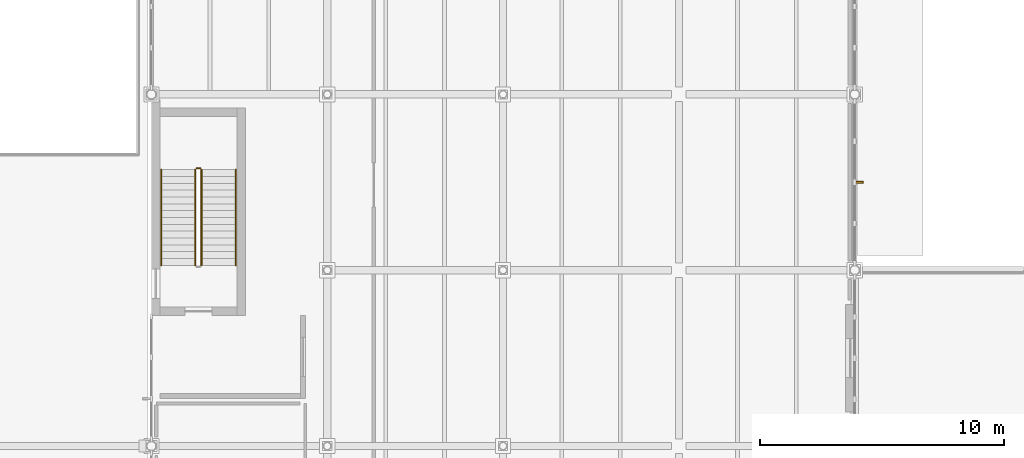
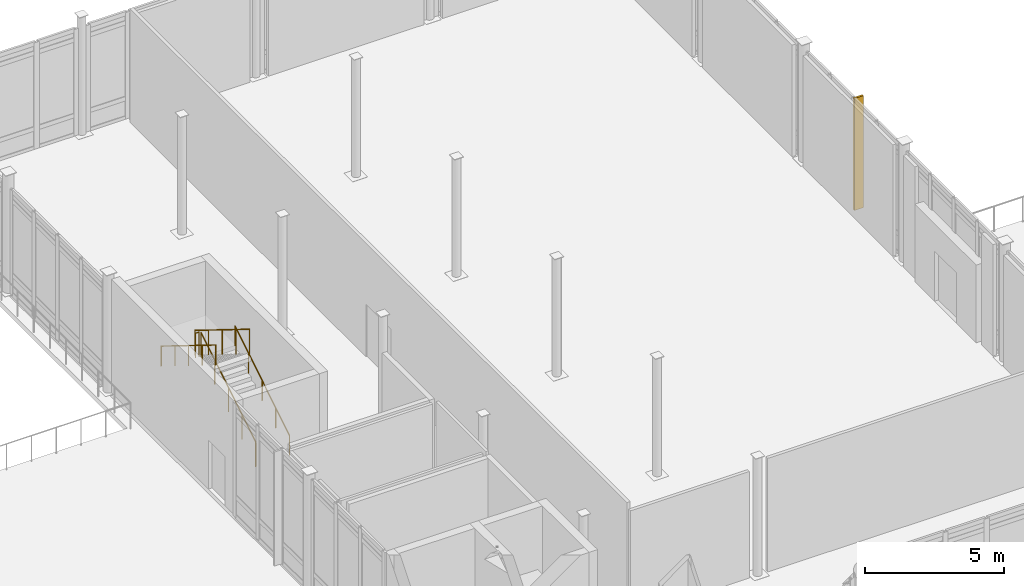
# One storey, part 82 of 89: 5 railings, 1 shading device.
"""IFC4 building model written with IfcOpenShell, lengths in metres."""

from ifc_helpers import new_model, si_unit, direction, frame, origin, origin_2d, place, context, subcontext, project, spatial, rectangle, circle, extrude, material, layer, layer_set, type_object, element, save


model = new_model("IFC4")

# Units and contexts
model_context = context("Model", 3, precision=1e-05, world=origin(), true_north=direction((0.0, 1.0)))
body_context = subcontext(model_context, "Body", "Model", "MODEL_VIEW")
ifc_project = project(units=[si_unit("LENGTHUNIT", "METRE"), si_unit("AREAUNIT", "SQUARE_METRE"), si_unit("VOLUMEUNIT", "CUBIC_METRE"), si_unit("PLANEANGLEUNIT", "RADIAN"), si_unit("MASSUNIT", "GRAM", prefix="KILO")], contexts=[model_context])

# Site, building, storey
site_placement = place(None, origin())
site = spatial("IfcSite", under=ifc_project, at=site_placement, CompositionType="ELEMENT")
building_placement = place(site_placement, origin())
building = spatial("IfcBuilding", under=site, at=building_placement, Name="Zarrinpeak Specialist Clinic", CompositionType="ELEMENT")
storey_placement = place(building_placement, origin())
storey = spatial("IfcBuildingStorey", under=building, at=storey_placement, Name="L00", CompositionType="ELEMENT", Elevation=0.0)

# Railings
ifc_material_1 = material(Name="Laminated Safety Glass and Stainless Steel 316", Category="steel")
ifc_layer_1 = layer(ifc_material_1, 0.06005859375)
ifc_layer_set_1 = layer_set([ifc_layer_1], Name="Laminated Safety Glass and Stainless Steel 316")
railing_type_1 = type_object("IfcRailingType", Name="RL-GRD115", PredefinedType="GUARDRAIL", material=ifc_layer_set_1)
railing_1_placement = place(storey_placement, frame((95.64990234375, 50.60009765625, 0.17333984375)))
element("IfcRailing", 1, at=railing_1_placement, inside=storey, type_object=railing_type_1, Name="L00 ST-06 stair guard 1", PredefinedType="GUARDRAIL", context=body_context, shape_type="SweptSolid", body=[
    extrude(circle(Radius=0.02392578125, at=origin_2d()), frame((0.0, 0.0, 1.076171875), z_axis=(0.0, 0.850251603719, 0.526376491091), x_axis=(-1.0, 0.0, 0.0)), (0.0, 0.0, 1.0), 4.6103515625),
    extrude(circle(Radius=0.02099609375, at=origin_2d()), origin(), (0.0, 0.0, 1.0), 1.052001953125),
    extrude(circle(Radius=0.02099609375, at=origin_2d()), frame((0.0, 0.97998046875, 0.606689453125)), (0.0, 0.0, 1.0), 1.052001953125),
    extrude(circle(Radius=0.02099609375, at=origin_2d()), frame((0.0, 1.9599609375, 1.21337890625)), (0.0, 0.0, 1.0), 1.052001953125),
    extrude(circle(Radius=0.02099609375, at=origin_2d()), frame((0.0, 2.93994140625, 1.820068359375)), (0.0, 0.0, 1.0), 1.052001953125),
    extrude(circle(Radius=0.02099609375, at=origin_2d()), frame((0.0, 3.919921875, 2.4267578125)), (0.0, 0.0, 1.0), 1.052001953125),
])
railing_2_placement = place(storey_placement, frame((95.60009765625, 54.570068359375, 2.60009765625)))
element("IfcRailing", 2, at=railing_2_placement, inside=storey, type_object=railing_type_1, Name="L00 ST-06 stair guard 2", PredefinedType="GUARDRAIL", context=body_context, shape_type="SweptSolid", body=[
    extrude(circle(Radius=0.02392578125, at=origin_2d()), frame((0.0, 0.0, 1.076171875), z_axis=(-1.0, 0.0, 0.0), x_axis=(0.0, -1.0, 0.0)), (0.0, 0.0, 1.0), 0.150146484375),
    extrude(circle(Radius=0.02099609375, at=origin_2d()), origin(), (0.0, 0.0, 1.0), 1.052001953125),
    extrude(circle(Radius=0.02099609375, at=origin_2d()), frame((-0.150146484375, 0.0, 0.0)), (0.0, 0.0, 1.0), 1.052001953125),
])
railing_3_placement = place(storey_placement, frame((95.39990234375, 54.52001953125, 2.7734375)))
element("IfcRailing", 3, at=railing_3_placement, inside=storey, type_object=railing_type_1, Name="L00 ST-06 stair guard 3", PredefinedType="GUARDRAIL", context=body_context, shape_type="SweptSolid", body=[
    extrude(circle(Radius=0.02392578125, at=origin_2d()), frame((0.0, 0.0, 1.076171875), z_axis=(0.0, -0.850275303828, 0.526338206574), x_axis=(1.0, 0.0, 0.0)), (0.0, 0.0, 1.0), 4.610107421875),
    extrude(circle(Radius=0.02099609375, at=origin_2d()), origin(), (0.0, 0.0, 1.0), 1.052001953125),
    extrude(circle(Radius=0.02099609375, at=origin_2d()), frame((0.0, -0.97998046875, 0.606689453125)), (0.0, 0.0, 1.0), 1.052001953125),
    extrude(circle(Radius=0.02099609375, at=origin_2d()), frame((0.0, -1.9599609375, 1.21337890625)), (0.0, 0.0, 1.0), 1.052001953125),
    extrude(circle(Radius=0.02099609375, at=origin_2d()), frame((0.0, -2.93994140625, 1.81982421875)), (0.0, 0.0, 1.0), 1.052001953125),
    extrude(circle(Radius=0.02099609375, at=origin_2d()), frame((0.0, -3.919921875, 2.426513671875)), (0.0, 0.0, 1.0), 1.052001953125),
])
ifc_material_2 = material(Name="Brushed Stainless Steel 316 Handrail", Category="steel")
ifc_layer_2 = layer(ifc_material_2, 0.050048828125)
ifc_layer_set_2 = layer_set([ifc_layer_2], Name="Brushed Stainless Steel 316 Handrail")
railing_type_2 = type_object("IfcRailingType", Name="RL-HND92", PredefinedType="HANDRAIL", material=ifc_layer_set_2)
railing_4_placement = place(storey_placement, frame((97.050048828125, 50.60009765625, 0.17333984375)))
element("IfcRailing", 4, at=railing_4_placement, inside=storey, type_object=railing_type_2, Name="L00 ST-06 stair handrail 1", PredefinedType="HANDRAIL", context=body_context, shape_type="SweptSolid", body=[
    extrude(circle(Radius=0.02392578125, at=origin_2d()), frame((0.0, 0.0, 0.8759765625), z_axis=(0.0, 0.850251603719, 0.526376491091), x_axis=(-1.0, 0.0, 0.0)), (0.0, 0.0, 1.0), 4.6103515625),
    extrude(circle(Radius=0.02099609375, at=origin_2d()), origin(), (0.0, 0.0, 1.0), 0.851806640625),
    extrude(circle(Radius=0.02099609375, at=origin_2d()), frame((0.0, 0.97998046875, 0.606689453125)), (0.0, 0.0, 1.0), 0.851806640625),
    extrude(circle(Radius=0.02099609375, at=origin_2d()), frame((0.0, 1.9599609375, 1.21337890625)), (0.0, 0.0, 1.0), 0.851806640625),
    extrude(circle(Radius=0.02099609375, at=origin_2d()), frame((0.0, 2.93994140625, 1.820068359375)), (0.0, 0.0, 1.0), 0.851806640625),
    extrude(circle(Radius=0.02099609375, at=origin_2d()), frame((0.0, 3.919921875, 2.4267578125)), (0.0, 0.0, 1.0), 0.851806640625),
])
railing_5_placement = place(storey_placement, frame((94.0, 54.52001953125, 2.7734375)))
element("IfcRailing", 5, at=railing_5_placement, inside=storey, type_object=railing_type_2, Name="L00 ST-06 stair handrail 2", PredefinedType="HANDRAIL", context=body_context, shape_type="SweptSolid", body=[
    extrude(circle(Radius=0.02392578125, at=origin_2d()), frame((0.0, 0.0, 0.8759765625), z_axis=(0.0, -0.850275303828, 0.526338206574), x_axis=(1.0, 0.0, 0.0)), (0.0, 0.0, 1.0), 4.610107421875),
    extrude(circle(Radius=0.02099609375, at=origin_2d()), origin(), (0.0, 0.0, 1.0), 0.851806640625),
    extrude(circle(Radius=0.02099609375, at=origin_2d()), frame((0.0, -0.97998046875, 0.606689453125)), (0.0, 0.0, 1.0), 0.851806640625),
    extrude(circle(Radius=0.02099609375, at=origin_2d()), frame((0.0, -1.9599609375, 1.21337890625)), (0.0, 0.0, 1.0), 0.851806640625),
    extrude(circle(Radius=0.02099609375, at=origin_2d()), frame((0.0, -2.93994140625, 1.81982421875)), (0.0, 0.0, 1.0), 0.851806640625),
    extrude(circle(Radius=0.02099609375, at=origin_2d()), frame((0.0, -3.919921875, 2.426513671875)), (0.0, 0.0, 1.0), 0.851806640625),
])

# Shading device
ifc_material_3 = material(Name="Anodised Bronze Aluminium", Category="aluminium")
shading_device_type = type_object("IfcShadingDeviceType", Name="SHD-FIN-BZ", PredefinedType="JALOUSIE", material=ifc_material_3)
shading_device_placement = place(storey_placement, frame((122.56494140625, 54.0, -0.01513671875), z_axis=(0.0, 0.0, 1.0), x_axis=(1.0, 0.0, 0.0)))
element("IfcShadingDevice", 6, at=shading_device_placement, inside=storey, type_object=shading_device_type, Name="L00 V3 Solar Control Fin FIN-061", PredefinedType="JALOUSIE", context=body_context, shape_type="SweptSolid", body=[
    extrude(rectangle(XDim=0.3798828125, YDim=0.074951171875, at=origin_2d()), origin(), (0.0, 0.0, 1.0), 4.905029296875),
])

save(model, "model.ifc")
